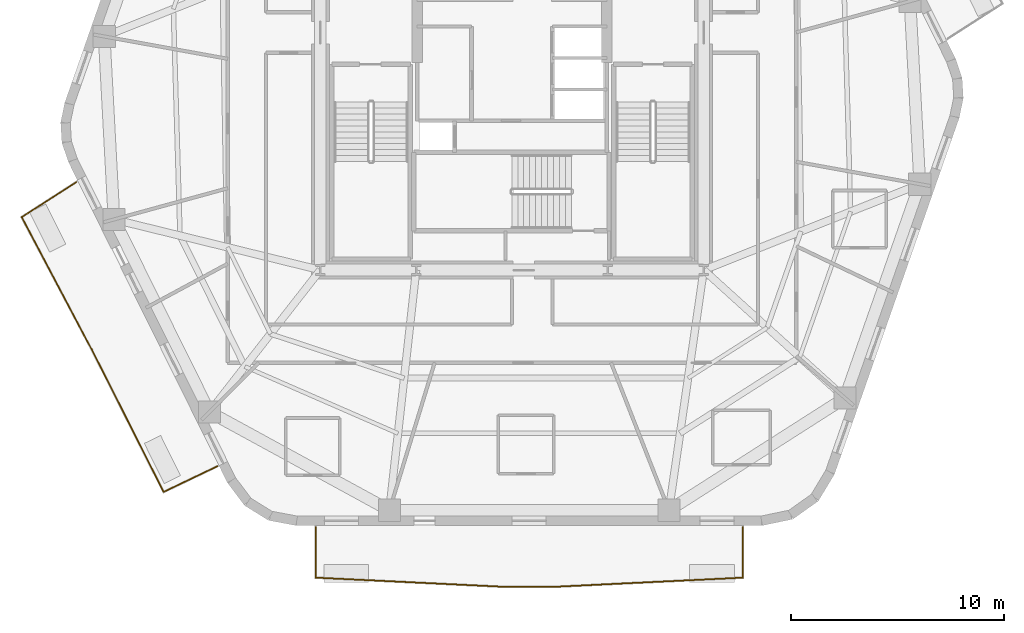
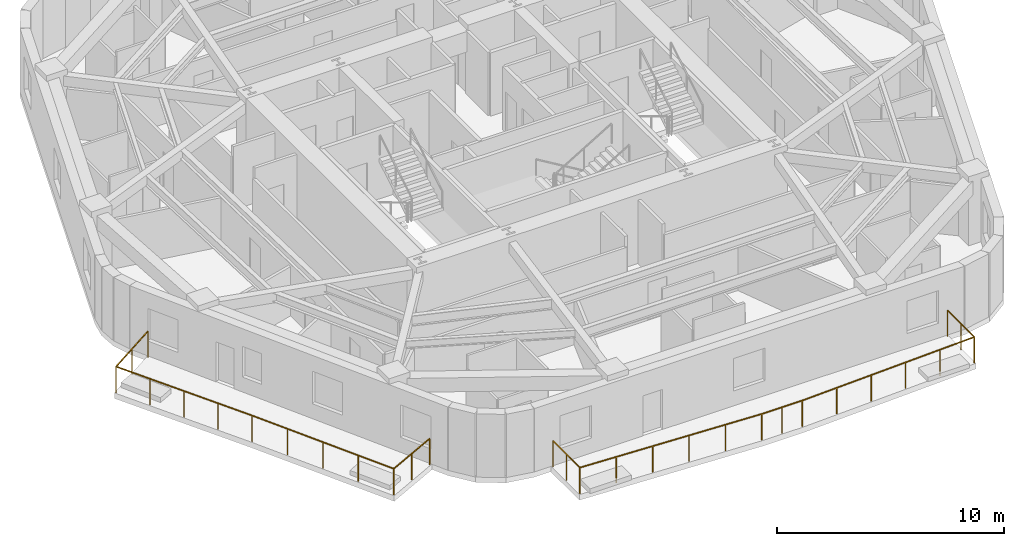
# One storey, part 8 of 10: 2 railings.
"""IFC4 building model written with IfcOpenShell, lengths in metres."""

from ifc_helpers import new_model, si_unit, direction, frame, origin, origin_2d, place, context, subcontext, project, spatial, rectangle, extrude, material, layer, layer_set, type_object, element, save


model = new_model("IFC4")

# Units and contexts
model_context = context("Model", 3, precision=1e-05, world=origin(), true_north=direction((0.0, 1.0)))
body_context = subcontext(model_context, "Body", "Model", "MODEL_VIEW")
ifc_project = project(units=[si_unit("LENGTHUNIT", "METRE"), si_unit("AREAUNIT", "SQUARE_METRE"), si_unit("VOLUMEUNIT", "CUBIC_METRE"), si_unit("PLANEANGLEUNIT", "RADIAN"), si_unit("MASSUNIT", "GRAM", prefix="KILO")], contexts=[model_context])

# Site, building, storey
site_placement = place(None, origin())
site = spatial("IfcSite", under=ifc_project, at=site_placement, CompositionType="ELEMENT")
building_placement = place(site_placement, origin())
building = spatial("IfcBuilding", under=site, at=building_placement, Name="Kilnhurst Terrace Hotel", CompositionType="ELEMENT")
storey_placement = place(building_placement, frame((0.0, 0.0, 151.699951171875)))
storey = spatial("IfcBuildingStorey", under=building, at=storey_placement, Name="L37", CompositionType="ELEMENT", Elevation=151.699951171875)

# Railings
ifc_material = material(Name="Laminated SentryGlas and Stainless Steel AISI 316L Balustrade", Category="steel")
ifc_layer = layer(ifc_material, 0.070068359375, Name="Laminated SentryGlas and Stainless Steel AISI 316L Balustrade")
ifc_layer_set = layer_set([ifc_layer], Name="Laminated SentryGlas and Stainless Steel AISI 316L Balustrade")
railing_type = type_object("IfcRailingType", Name="RLG-BAL-1420", PredefinedType="BALUSTRADE", material=ifc_layer_set)
railing_1_placement = place(storey_placement, frame((-13.83544921875, -16.709716796875, 0.0)))
element("IfcRailing", 1, at=railing_1_placement, inside=storey, type_object=railing_type, Name="L37 Exterior Terrace Guardrail BAL-L2A.1", PredefinedType="BALUSTRADE", context=body_context, shape_type="SweptSolid", body=[
    extrude(rectangle(XDim=0.048095703125, YDim=0.048095703125, at=origin_2d()), frame((0.0, 0.0, 1.39599609375), z_axis=(-0.901469931109, -0.43284173009, 0.0), x_axis=(0.43284173009, -0.901469931109, 0.0)), (0.0, 0.0, 1.0), 2.797119140625),
    extrude(rectangle(XDim=0.048095703125, YDim=0.048095703125, at=origin_2d()), frame((-2.521484375, -1.210693359375, 1.39599609375), z_axis=(-0.450616671131, 0.892717545307, 0.0), x_axis=(-0.892717545307, -0.450616671131, 0.0)), (0.0, 0.0, 1.0), 7.453857421875),
    extrude(rectangle(XDim=0.048095703125, YDim=0.048095703125, at=origin_2d()), frame((-5.88037109375, 5.443603515625, 1.39599609375), z_axis=(-0.4472135955, 0.894427191, 0.0), x_axis=(-0.894427191, -0.4472135955, 0.0)), (0.0, 0.0, 1.0), 0.0009765625),
    extrude(rectangle(XDim=0.048095703125, YDim=0.048095703125, at=origin_2d()), frame((-5.880859375, 5.444580078125, 1.39599609375), z_axis=(-0.46789407085, 0.883784554325, 0.0), x_axis=(-0.883784554325, -0.46789407085, 0.0)), (0.0, 0.0, 1.0), 7.0654296875),
    extrude(rectangle(XDim=0.048095703125, YDim=0.048095703125, at=origin_2d()), frame((-9.186767578125, 11.68896484375, 1.39599609375), z_axis=(0.841139546062, 0.540818143233, 0.0), x_axis=(-0.540818143233, 0.841139546062, 0.0)), (0.0, 0.0, 1.0), 3.056640625),
    extrude(rectangle(XDim=0.0419921875, YDim=0.0419921875, at=origin_2d()), origin(), (0.0, 0.0, 1.0), 1.371826171875),
    extrude(rectangle(XDim=0.0419921875, YDim=0.0419921875, at=origin_2d()), frame((-1.2607421875, -0.60546875, 0.0)), (0.0, 0.0, 1.0), 1.371826171875),
    extrude(rectangle(XDim=0.0419921875, YDim=0.0419921875, at=origin_2d()), frame((-2.521484375, -1.210693359375, 0.0)), (0.0, 0.0, 1.0), 1.371826171875),
    extrude(rectangle(XDim=0.0419921875, YDim=0.0419921875, at=origin_2d()), frame((-3.361328125, 0.452880859375, 0.0)), (0.0, 0.0, 1.0), 1.371826171875),
    extrude(rectangle(XDim=0.0419921875, YDim=0.0419921875, at=origin_2d()), frame((-4.200927734375, 2.116455078125, 0.0)), (0.0, 0.0, 1.0), 1.371826171875),
    extrude(rectangle(XDim=0.0419921875, YDim=0.0419921875, at=origin_2d()), frame((-5.04052734375, 3.780029296875, 0.0)), (0.0, 0.0, 1.0), 1.371826171875),
    extrude(rectangle(XDim=0.0419921875, YDim=0.0419921875, at=origin_2d()), frame((-5.88037109375, 5.443603515625, 0.0)), (0.0, 0.0, 1.0), 1.371826171875),
    extrude(rectangle(XDim=0.0419921875, YDim=0.0419921875, at=origin_2d()), frame((-5.880859375, 5.444580078125, 0.0)), (0.0, 0.0, 1.0), 1.371826171875),
    extrude(rectangle(XDim=0.0419921875, YDim=0.0419921875, at=origin_2d()), frame((-6.707275390625, 7.005615234375, 0.0)), (0.0, 0.0, 1.0), 1.371826171875),
    extrude(rectangle(XDim=0.0419921875, YDim=0.0419921875, at=origin_2d()), frame((-7.53369140625, 8.56689453125, 0.0)), (0.0, 0.0, 1.0), 1.371826171875),
    extrude(rectangle(XDim=0.0419921875, YDim=0.0419921875, at=origin_2d()), frame((-8.3603515625, 10.1279296875, 0.0)), (0.0, 0.0, 1.0), 1.371826171875),
    extrude(rectangle(XDim=0.0419921875, YDim=0.0419921875, at=origin_2d()), frame((-9.186767578125, 11.68896484375, 0.0)), (0.0, 0.0, 1.0), 1.371826171875),
    extrude(rectangle(XDim=0.0419921875, YDim=0.0419921875, at=origin_2d()), frame((-7.9013671875, 12.515625, 0.0)), (0.0, 0.0, 1.0), 1.371826171875),
    extrude(rectangle(XDim=0.0419921875, YDim=0.0419921875, at=origin_2d()), frame((-6.61572265625, 13.342041015625, 0.0)), (0.0, 0.0, 1.0), 1.371826171875),
])
railing_2_placement = place(storey_placement, frame((10.83349609375, -19.580078125, 0.0)))
element("IfcRailing", 2, at=railing_2_placement, inside=storey, type_object=railing_type, Name="L37 Exterior Terrace Guardrail BAL-L2B.1", PredefinedType="BALUSTRADE", context=body_context, shape_type="SweptSolid", body=[
    extrude(rectangle(XDim=0.048095703125, YDim=0.048095703125, at=origin_2d()), frame((0.0, 0.0, 1.39599609375), z_axis=(0.0, -1.0, 0.0), x_axis=(1.0, 0.0, 0.0)), (0.0, 0.0, 1.0), 2.36279296875),
    extrude(rectangle(XDim=0.048095703125, YDim=0.048095703125, at=origin_2d()), frame((0.0, -2.36279296875, 1.39599609375), z_axis=(-0.998822813861, -0.048507592295, 0.0), x_axis=(0.048507592295, -0.998822813861, 0.0)), (0.0, 0.0, 1.0), 9.009033203125),
    extrude(rectangle(XDim=0.048095703125, YDim=0.048095703125, at=origin_2d()), frame((-8.99853515625, -2.7998046875, 1.39599609375), z_axis=(-1.0, 0.0, 0.0), x_axis=(0.0, -1.0, 0.0)), (0.0, 0.0, 1.0), 2.0556640625),
    extrude(rectangle(XDim=0.048095703125, YDim=0.048095703125, at=origin_2d()), frame((-11.05419921875, -2.7998046875, 1.39599609375), z_axis=(-0.998822813861, 0.048507592295, 0.0), x_axis=(-0.048507592295, -0.998822813861, 0.0)), (0.0, 0.0, 1.0), 9.009033203125),
    extrude(rectangle(XDim=0.048095703125, YDim=0.048095703125, at=origin_2d()), frame((-20.052734375, -2.36279296875, 1.39599609375), z_axis=(0.0, 1.0, 0.0), x_axis=(-1.0, 0.0, 0.0)), (0.0, 0.0, 1.0), 2.36279296875),
    extrude(rectangle(XDim=0.0419921875, YDim=0.0419921875, at=origin_2d()), origin(), (0.0, 0.0, 1.0), 1.371826171875),
    extrude(rectangle(XDim=0.0419921875, YDim=0.0419921875, at=origin_2d()), frame((0.0, -1.181396484375, 0.0)), (0.0, 0.0, 1.0), 1.371826171875),
    extrude(rectangle(XDim=0.0419921875, YDim=0.0419921875, at=origin_2d()), frame((0.0, -2.36279296875, 0.0)), (0.0, 0.0, 1.0), 1.371826171875),
    extrude(rectangle(XDim=0.0419921875, YDim=0.0419921875, at=origin_2d()), frame((-1.7998046875, -2.4501953125, 0.0)), (0.0, 0.0, 1.0), 1.371826171875),
    extrude(rectangle(XDim=0.0419921875, YDim=0.0419921875, at=origin_2d()), frame((-3.599365234375, -2.53759765625, 0.0)), (0.0, 0.0, 1.0), 1.371826171875),
    extrude(rectangle(XDim=0.0419921875, YDim=0.0419921875, at=origin_2d()), frame((-5.399169921875, -2.625, 0.0)), (0.0, 0.0, 1.0), 1.371826171875),
    extrude(rectangle(XDim=0.0419921875, YDim=0.0419921875, at=origin_2d()), frame((-7.19873046875, -2.71240234375, 0.0)), (0.0, 0.0, 1.0), 1.371826171875),
    extrude(rectangle(XDim=0.0419921875, YDim=0.0419921875, at=origin_2d()), frame((-8.99853515625, -2.7998046875, 0.0)), (0.0, 0.0, 1.0), 1.371826171875),
    extrude(rectangle(XDim=0.0419921875, YDim=0.0419921875, at=origin_2d()), frame((-10.0263671875, -2.7998046875, 0.0)), (0.0, 0.0, 1.0), 1.371826171875),
    extrude(rectangle(XDim=0.0419921875, YDim=0.0419921875, at=origin_2d()), frame((-11.05419921875, -2.7998046875, 0.0)), (0.0, 0.0, 1.0), 1.371826171875),
    extrude(rectangle(XDim=0.0419921875, YDim=0.0419921875, at=origin_2d()), frame((-12.85400390625, -2.71240234375, 0.0)), (0.0, 0.0, 1.0), 1.371826171875),
    extrude(rectangle(XDim=0.0419921875, YDim=0.0419921875, at=origin_2d()), frame((-14.653564453125, -2.625, 0.0)), (0.0, 0.0, 1.0), 1.371826171875),
    extrude(rectangle(XDim=0.0419921875, YDim=0.0419921875, at=origin_2d()), frame((-16.453369140625, -2.53759765625, 0.0)), (0.0, 0.0, 1.0), 1.371826171875),
    extrude(rectangle(XDim=0.0419921875, YDim=0.0419921875, at=origin_2d()), frame((-18.2529296875, -2.4501953125, 0.0)), (0.0, 0.0, 1.0), 1.371826171875),
    extrude(rectangle(XDim=0.0419921875, YDim=0.0419921875, at=origin_2d()), frame((-20.052734375, -2.36279296875, 0.0)), (0.0, 0.0, 1.0), 1.371826171875),
    extrude(rectangle(XDim=0.0419921875, YDim=0.0419921875, at=origin_2d()), frame((-20.052734375, -1.181396484375, 0.0)), (0.0, 0.0, 1.0), 1.371826171875),
    extrude(rectangle(XDim=0.0419921875, YDim=0.0419921875, at=origin_2d()), frame((-20.052734375, 0.0, 0.0)), (0.0, 0.0, 1.0), 1.371826171875),
])

save(model, "model.ifc")
